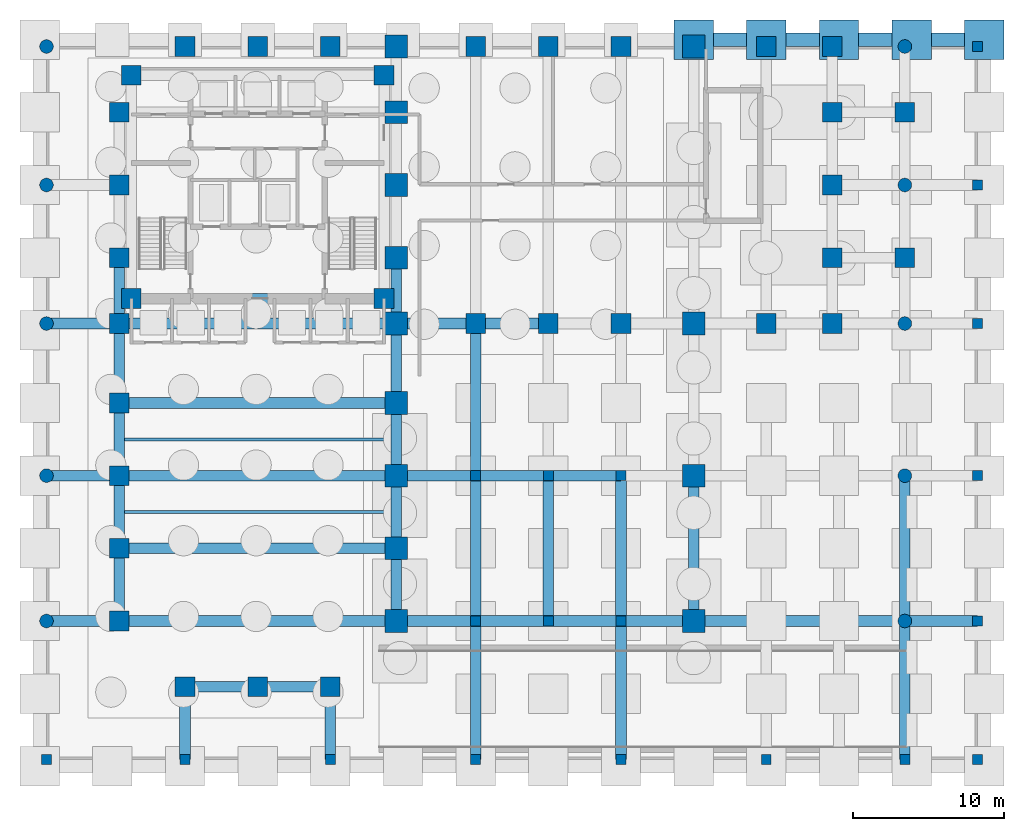
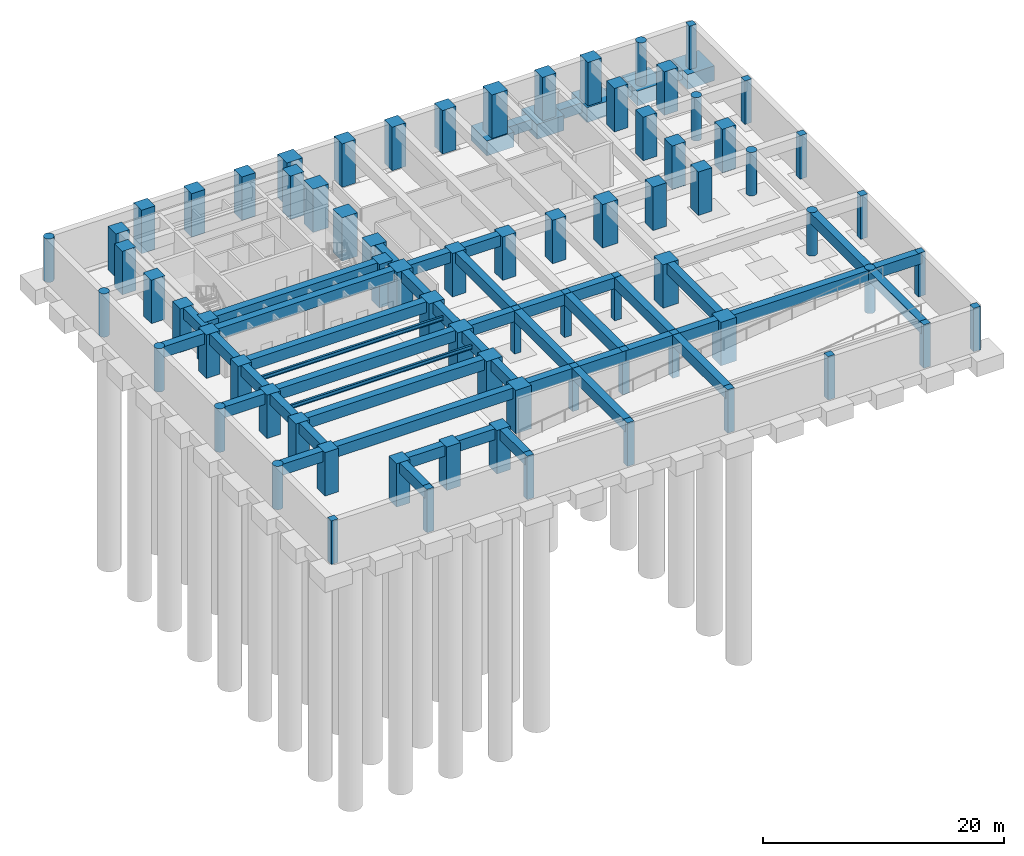
# One storey, part 2 of 8: 75 columns, 45 beams, 9 footings.
"""IFC4 building model written with IfcOpenShell, lengths in metres."""

from ifc_helpers import new_model, si_unit, direction, frame, origin, origin_2d, place, context, subcontext, project, spatial, rectangle, circle, i_section, extrude, material, material_profile, profile_set, type_object, element, save


model = new_model("IFC4")

# Units and contexts
model_context = context("Model", 3, precision=1e-05, world=origin(), true_north=direction((0.0, 1.0)))
body_context = subcontext(model_context, "Body", "Model", "MODEL_VIEW")
ifc_project = project(units=[si_unit("LENGTHUNIT", "METRE"), si_unit("AREAUNIT", "SQUARE_METRE"), si_unit("VOLUMEUNIT", "CUBIC_METRE"), si_unit("PLANEANGLEUNIT", "RADIAN"), si_unit("MASSUNIT", "GRAM", prefix="KILO")], contexts=[model_context])

# Site, building, storey
site_placement = place(None, origin())
site = spatial("IfcSite", under=ifc_project, at=site_placement, CompositionType="ELEMENT")
building_placement = place(site_placement, origin())
building = spatial("IfcBuilding", under=site, at=building_placement, Name="Orvandelia Arch Residences", CompositionType="ELEMENT")
storey_placement = place(building_placement, frame((0.0, 0.0, -13.199951171875)))
storey = spatial("IfcBuildingStorey", under=building, at=storey_placement, Name="B3", CompositionType="ELEMENT", Elevation=-13.199951171875)

# Footings
ifc_material_1 = material(Name="Concrete C50/60", Category="concrete")
footing_type_1 = type_object("IfcFootingType", Name="FTG-PAD-2600", PredefinedType="PAD_FOOTING", material=ifc_material_1)
for number, where, z_axis, x_axis, name in (
    (1, (43.199951171875, 48.0, -1.5), (0.0, 0.0, 1.0), (1.0, 0.0, 0.0), "Isolated Pad Footing PF-044"),
    (2, (48.0, 48.0, -1.5), (0.0, 0.0, 1.0), (1.0, 0.0, 0.0), "Isolated Pad Footing PF-053"),
    (3, (52.800048828125, 48.0, -1.5), (0.0, 0.0, 1.0), (1.0, 0.0, 0.0), "Isolated Pad Footing PF-062"),
    (4, (57.60009765625, 48.0, -1.5), (0.0, 0.0, 1.0), (1.0, 0.0, 0.0), "Isolated Pad Footing PF-073"),
    (5, (62.39990234375, 48.0, -1.5), (0.0, 0.0, 1.0), (1.0, 0.0, 0.0), "Isolated Pad Footing PF-084"),
):
    element("IfcFooting", number, at=place(storey_placement, frame(where, z_axis=z_axis, x_axis=x_axis)), inside=storey, type_object=footing_type_1, Name=name, PredefinedType="PAD_FOOTING", context=body_context, shape_type="SweptSolid", body=[
        extrude(rectangle(XDim=2.60009765625, YDim=2.60009765625, at=origin_2d()), origin(), (0.0, 0.0, 1.0), 1.5),
    ])
footing_type_2 = type_object("IfcFootingType", Name="FTG-STRIP-2200x900", PredefinedType="STRIP_FOOTING", material=ifc_material_1)
for number, where, z_axis, x_axis, name in (
    (6, (45.60009765625, 48.0, -1.0), (0.0, 0.0, 1.0), (1.0, 0.0, 0.0), "Perimeter Strip Footing STF-023"),
    (7, (50.39990234375, 48.0, -1.0), (0.0, 0.0, 1.0), (1.0, 0.0, 0.0), "Perimeter Strip Footing STF-024"),
    (8, (55.199951171875, 48.0, -1.0), (0.0, 0.0, 1.0), (1.0, 0.0, 0.0), "Perimeter Strip Footing STF-025"),
    (9, (60.0, 48.0, -1.0), (0.0, 0.0, 1.0), (1.0, 0.0, 0.0), "Perimeter Strip Footing STF-026"),
):
    element("IfcFooting", number, at=place(storey_placement, frame(where, z_axis=z_axis, x_axis=x_axis)), inside=storey, type_object=footing_type_2, Name=name, PredefinedType="STRIP_FOOTING", context=body_context, shape_type="SweptSolid", body=[
        extrude(rectangle(XDim=2.199951171875, YDim=0.89990234375, at=origin_2d()), origin(), (0.0, 0.0, 1.0), 1.0),
    ])

# Columns
ifc_material_profile_1 = material_profile(ifc_material_1, rectangle(XDim=0.64990234375, YDim=0.64990234375, at=origin_2d()), Name="Concrete C50/60", Category="concrete")
ifc_profile_set_1 = profile_set([ifc_material_profile_1], Name="Concrete C50/60")
column_type_1 = type_object("IfcColumnType", Name="COL-BSM-650", PredefinedType="PILASTER", material=ifc_profile_set_1)
for number, where, z_axis, x_axis, name in (
    (10, (0.449951171875, 0.449951171875, 0.0), (0.0, 0.0, 1.0), (1.0, 0.0, 0.0), "Structural Column B3-BSM-S0-4"),
    (11, (9.60009765625, 0.449951171875, 0.0), (0.0, 0.0, 1.0), (1.0, 0.0, 0.0), "Structural Column B3-BSM-S0-96"),
    (12, (19.199951171875, 0.449951171875, 0.0), (0.0, 0.0, 1.0), (1.0, 0.0, 0.0), "Structural Column B3-BSM-S0-192"),
    (13, (28.800048828125, 0.449951171875, 0.0), (0.0, 0.0, 1.0), (1.0, 0.0, 0.0), "Structural Column B3-BSM-S0-288"),
    (14, (28.800048828125, 9.60009765625, 0.0), (0.0, 0.0, 1.0), (1.0, 0.0, 0.0), "Structural Column B3-XFR-S-288-96"),
    (15, (28.800048828125, 19.199951171875, 0.0), (0.0, 0.0, 1.0), (1.0, 0.0, 0.0), "Structural Column B3-XFR-S-288-192"),
    (16, (33.60009765625, 9.60009765625, 0.0), (0.0, 0.0, 1.0), (1.0, 0.0, 0.0), "Structural Column B3-XFR-S-336-96"),
    (17, (33.60009765625, 19.199951171875, 0.0), (0.0, 0.0, 1.0), (1.0, 0.0, 0.0), "Structural Column B3-XFR-S-336-192"),
    (18, (38.39990234375, 0.449951171875, 0.0), (0.0, 0.0, 1.0), (1.0, 0.0, 0.0), "Structural Column B3-BSM-S0-384"),
    (19, (38.39990234375, 9.60009765625, 0.0), (0.0, 0.0, 1.0), (1.0, 0.0, 0.0), "Structural Column B3-XFR-S-384-96"),
    (20, (38.39990234375, 19.199951171875, 0.0), (0.0, 0.0, 1.0), (1.0, 0.0, 0.0), "Structural Column B3-XFR-S-384-192"),
    (21, (48.0, 0.449951171875, 0.0), (0.0, 0.0, 1.0), (1.0, 0.0, 0.0), "Structural Column B3-BSM-S0-480"),
    (22, (57.14990234375, 0.449951171875, 0.0), (0.0, 0.0, 1.0), (1.0, 0.0, 0.0), "Structural Column B3-BSM-S0-571"),
    (23, (61.949951171875, 0.449951171875, 0.0), (0.0, 0.0, 1.0), (1.0, 0.0, 0.0), "Structural Column B3-BSM-S0-619"),
    (24, (61.949951171875, 9.60009765625, 0.0), (0.0, 0.0, 1.0), (1.0, 0.0, 0.0), "Structural Column B3-BSM-E62-96"),
    (25, (61.949951171875, 19.199951171875, 0.0), (0.0, 0.0, 1.0), (1.0, 0.0, 0.0), "Structural Column B3-BSM-E62-192"),
    (26, (61.949951171875, 29.25, 0.0), (0.0, 0.0, 1.0), (1.0, 0.0, 0.0), "Structural Column B3-BSM-E62-292"),
    (27, (61.949951171875, 38.39990234375, 0.0), (0.0, 0.0, 1.0), (1.0, 0.0, 0.0), "Structural Column B3-BSM-E62-384"),
    (28, (61.949951171875, 47.550048828125, 0.0), (0.0, 0.0, 1.0), (1.0, 0.0, 0.0), "Structural Column B3-BSM-E62-475"),
):
    element("IfcColumn", number, at=place(storey_placement, frame(where, z_axis=z_axis, x_axis=x_axis)), inside=storey, type_object=column_type_1, Name=name, PredefinedType="PILASTER", context=body_context, shape_type="SweptSolid", body=[
        extrude(rectangle(XDim=0.64990234375, YDim=0.64990234375, at=origin_2d()), origin(), (0.0, 0.0, 1.0), 4.39990234375),
    ])
ifc_material_2 = material(Name="Concrete C80/95", Category="concrete")
ifc_material_profile_2 = material_profile(ifc_material_2, rectangle(XDim=1.5, YDim=1.5, at=origin_2d()), Name="Concrete C80/95", Category="concrete")
ifc_profile_set_2 = profile_set([ifc_material_profile_2], Name="Concrete C80/95")
column_type_2 = type_object("IfcColumnType", Name="COL-MEGA-1500", PredefinedType="USERDEFINED", material=ifc_profile_set_2)
for number, where, z_axis, x_axis, name in (
    (29, (23.550048828125, 9.60009765625, 0.0), (0.0, 0.0, 1.0), (1.0, 0.0, 0.0), "Structural Column B3-W-E-96"),
    (30, (23.550048828125, 14.39990234375, 0.0), (0.0, 0.0, 1.0), (1.0, 0.0, 0.0), "Structural Column B3-W-E-144"),
    (31, (23.550048828125, 19.199951171875, 0.0), (0.0, 0.0, 1.0), (1.0, 0.0, 0.0), "Structural Column B3-W-E-192"),
    (32, (23.550048828125, 24.0, 0.0), (0.0, 0.0, 1.0), (1.0, 0.0, 0.0), "Structural Column B3-W-E-240"),
    (33, (23.550048828125, 29.25, 0.0), (0.0, 0.0, 1.0), (1.0, 0.0, 0.0), "Structural Column B3-W-E-292"),
    (34, (23.550048828125, 33.60009765625, 0.0), (0.0, 0.0, 1.0), (1.0, 0.0, 0.0), "Structural Column B3-W-E-336"),
    (35, (23.550048828125, 38.39990234375, 0.0), (0.0, 0.0, 1.0), (1.0, 0.0, 0.0), "Structural Column B3-W-E-384"),
    (36, (23.550048828125, 43.199951171875, 0.0), (0.0, 0.0, 1.0), (1.0, 0.0, 0.0), "Structural Column B3-W-E-432"),
    (37, (23.550048828125, 47.550048828125, 0.0), (0.0, 0.0, 1.0), (1.0, 0.0, 0.0), "Structural Column B3-W-N-235"),
    (38, (43.199951171875, 9.60009765625, 0.0), (0.0, 0.0, 1.0), (1.0, 0.0, 0.0), "Structural Column B3-MPE-96"),
    (39, (43.199951171875, 19.199951171875, 0.0), (0.0, 0.0, 1.0), (1.0, 0.0, 0.0), "Structural Column B3-MPE-192"),
    (40, (43.199951171875, 29.25, 0.0), (0.0, 0.0, 1.0), (1.0, 0.0, 0.0), "Structural Column B3-E-S-432"),
    (41, (43.199951171875, 47.550048828125, 0.0), (0.0, 0.0, 1.0), (1.0, 0.0, 0.0), "Structural Column B3-E-N-432"),
):
    element("IfcColumn", number, at=place(storey_placement, frame(where, z_axis=z_axis, x_axis=x_axis)), inside=storey, type_object=column_type_2, Name=name, ObjectType="PIER COLUMN", PredefinedType="USERDEFINED", context=body_context, shape_type="SweptSolid", body=[
        extrude(rectangle(XDim=1.5, YDim=1.5, at=origin_2d()), origin(), (0.0, 0.0, 1.0), 4.39990234375),
    ])
ifc_material_3 = material(Name="Concrete C60/75", Category="concrete")
ifc_material_profile_3 = material_profile(ifc_material_3, circle(Radius=0.449951171875, at=origin_2d()), Name="Concrete C60/75", Category="concrete")
ifc_profile_set_3 = profile_set([ifc_material_profile_3], Name="Concrete C60/75")
column_type_3 = type_object("IfcColumnType", Name="COL-POD-900C", PredefinedType="COLUMN", material=ifc_profile_set_3)
for number, where, z_axis, x_axis, name in (
    (42, (0.449951171875, 9.60009765625, 0.0), (0.0, 0.0, 1.0), (1.0, 0.0, 0.0), "Structural Column B3-POD-W0-96"),
    (43, (0.449951171875, 19.199951171875, 0.0), (0.0, 0.0, 1.0), (1.0, 0.0, 0.0), "Structural Column B3-POD-W0-192"),
    (44, (0.449951171875, 29.25, 0.0), (0.0, 0.0, 1.0), (1.0, 0.0, 0.0), "Structural Column B3-POD-W0-292"),
    (45, (0.449951171875, 38.39990234375, 0.0), (0.0, 0.0, 1.0), (1.0, 0.0, 0.0), "Structural Column B3-POD-W0-384"),
    (46, (0.449951171875, 47.550048828125, 0.0), (0.0, 0.0, 1.0), (1.0, 0.0, 0.0), "Structural Column B3-POD-W0-475"),
    (47, (57.14990234375, 9.60009765625, 0.0), (0.0, 0.0, 1.0), (1.0, 0.0, 0.0), "Structural Column B3-POD-E0-96"),
    (48, (57.14990234375, 19.199951171875, 0.0), (0.0, 0.0, 1.0), (1.0, 0.0, 0.0), "Structural Column B3-POD-E0-192"),
    (49, (57.14990234375, 29.25, 0.0), (0.0, 0.0, 1.0), (1.0, 0.0, 0.0), "Structural Column B3-POD-E0-292"),
    (50, (57.14990234375, 38.39990234375, 0.0), (0.0, 0.0, 1.0), (1.0, 0.0, 0.0), "Structural Column B3-POD-E0-384"),
    (51, (57.14990234375, 47.550048828125, 0.0), (0.0, 0.0, 1.0), (1.0, 0.0, 0.0), "Structural Column B3-POD-E0-475"),
):
    element("IfcColumn", number, at=place(storey_placement, frame(where, z_axis=z_axis, x_axis=x_axis)), inside=storey, type_object=column_type_3, Name=name, PredefinedType="COLUMN", context=body_context, shape_type="SweptSolid", body=[
        extrude(circle(Radius=0.449951171875, at=origin_2d()), origin(), (0.0, 0.0, 1.0), 4.39990234375),
    ])
ifc_material_profile_4 = material_profile(ifc_material_2, rectangle(XDim=1.300048828125, YDim=1.300048828125, at=origin_2d()), Name="Concrete C80/95", Category="concrete")
ifc_profile_set_4 = profile_set([ifc_material_profile_4], Name="Concrete C80/95")
column_type_4 = type_object("IfcColumnType", Name="COL-TWR-1300", PredefinedType="COLUMN", material=ifc_profile_set_4)
for number, where, z_axis, x_axis, name in (
    (52, (5.25, 9.60009765625, 0.0), (0.0, 0.0, 1.0), (1.0, 0.0, 0.0), "Structural Column B3-W-W-96"),
    (53, (5.25, 14.39990234375, 0.0), (0.0, 0.0, 1.0), (1.0, 0.0, 0.0), "Structural Column B3-W-W-144"),
    (54, (5.25, 19.199951171875, 0.0), (0.0, 0.0, 1.0), (1.0, 0.0, 0.0), "Structural Column B3-W-W-192"),
    (55, (5.25, 24.0, 0.0), (0.0, 0.0, 1.0), (1.0, 0.0, 0.0), "Structural Column B3-W-W-240"),
    (56, (5.25, 29.25, 0.0), (0.0, 0.0, 1.0), (1.0, 0.0, 0.0), "Structural Column B3-W-W-292"),
    (57, (5.25, 33.60009765625, 0.0), (0.0, 0.0, 1.0), (1.0, 0.0, 0.0), "Structural Column B3-W-W-336"),
    (58, (5.25, 38.39990234375, 0.0), (0.0, 0.0, 1.0), (1.0, 0.0, 0.0), "Structural Column B3-W-W-384"),
    (59, (5.25, 43.199951171875, 0.0), (0.0, 0.0, 1.0), (1.0, 0.0, 0.0), "Structural Column B3-W-W-432"),
    (60, (6.050048828125, 30.89990234375, 0.0), (0.0, 0.0, 1.0), (1.0, 0.0, 0.0), "Structural Column B3-CR-SW"),
    (61, (6.050048828125, 45.64990234375, 0.0), (0.0, 0.0, 1.0), (1.0, 0.0, 0.0), "Structural Column B3-CR-NW"),
    (62, (9.60009765625, 5.25, 0.0), (0.0, 0.0, 1.0), (1.0, 0.0, 0.0), "Structural Column B3-W-S-96"),
    (63, (9.60009765625, 47.550048828125, 0.0), (0.0, 0.0, 1.0), (1.0, 0.0, 0.0), "Structural Column B3-W-N-96"),
    (64, (14.39990234375, 5.25, 0.0), (0.0, 0.0, 1.0), (1.0, 0.0, 0.0), "Structural Column B3-W-S-144"),
    (65, (14.39990234375, 47.550048828125, 0.0), (0.0, 0.0, 1.0), (1.0, 0.0, 0.0), "Structural Column B3-W-N-144"),
    (66, (19.199951171875, 5.25, 0.0), (0.0, 0.0, 1.0), (1.0, 0.0, 0.0), "Structural Column B3-W-S-192"),
    (67, (19.199951171875, 47.550048828125, 0.0), (0.0, 0.0, 1.0), (1.0, 0.0, 0.0), "Structural Column B3-W-N-192"),
    (68, (22.75, 30.89990234375, 0.0), (0.0, 0.0, 1.0), (1.0, 0.0, 0.0), "Structural Column B3-CR-SE"),
    (69, (22.75, 45.64990234375, 0.0), (0.0, 0.0, 1.0), (1.0, 0.0, 0.0), "Structural Column B3-CR-NE"),
    (70, (28.800048828125, 29.25, 0.0), (0.0, 0.0, 1.0), (1.0, 0.0, 0.0), "Structural Column B3-E-S-288"),
    (71, (28.800048828125, 47.550048828125, 0.0), (0.0, 0.0, 1.0), (1.0, 0.0, 0.0), "Structural Column B3-E-N-288"),
    (72, (33.60009765625, 29.25, 0.0), (0.0, 0.0, 1.0), (1.0, 0.0, 0.0), "Structural Column B3-E-S-336"),
    (73, (33.60009765625, 47.550048828125, 0.0), (0.0, 0.0, 1.0), (1.0, 0.0, 0.0), "Structural Column B3-E-N-336"),
    (74, (38.39990234375, 29.25, 0.0), (0.0, 0.0, 1.0), (1.0, 0.0, 0.0), "Structural Column B3-E-S-384"),
    (75, (38.39990234375, 47.550048828125, 0.0), (0.0, 0.0, 1.0), (1.0, 0.0, 0.0), "Structural Column B3-E-N-384"),
    (76, (48.0, 29.25, 0.0), (0.0, 0.0, 1.0), (1.0, 0.0, 0.0), "Structural Column B3-E-S-480"),
    (77, (48.0, 47.550048828125, 0.0), (0.0, 0.0, 1.0), (1.0, 0.0, 0.0), "Structural Column B3-E-N-480"),
    (78, (52.35009765625, 29.25, 0.0), (0.0, 0.0, 1.0), (1.0, 0.0, 0.0), "Structural Column B3-E-S-523"),
    (79, (52.35009765625, 33.60009765625, 0.0), (0.0, 0.0, 1.0), (1.0, 0.0, 0.0), "Structural Column B3-E-523-336"),
    (80, (52.35009765625, 38.39990234375, 0.0), (0.0, 0.0, 1.0), (1.0, 0.0, 0.0), "Structural Column B3-E-523-384"),
    (81, (52.35009765625, 43.199951171875, 0.0), (0.0, 0.0, 1.0), (1.0, 0.0, 0.0), "Structural Column B3-E-523-432"),
    (82, (52.35009765625, 47.550048828125, 0.0), (0.0, 0.0, 1.0), (1.0, 0.0, 0.0), "Structural Column B3-E-N-523"),
    (83, (57.14990234375, 33.60009765625, 0.0), (0.0, 0.0, 1.0), (1.0, 0.0, 0.0), "Structural Column B3-E-571-336"),
    (84, (57.14990234375, 43.199951171875, 0.0), (0.0, 0.0, 1.0), (1.0, 0.0, 0.0), "Structural Column B3-E-571-432"),
):
    element("IfcColumn", number, at=place(storey_placement, frame(where, z_axis=z_axis, x_axis=x_axis)), inside=storey, type_object=column_type_4, Name=name, PredefinedType="COLUMN", context=body_context, shape_type="SweptSolid", body=[
        extrude(rectangle(XDim=1.300048828125, YDim=1.300048828125, at=origin_2d()), origin(), (0.0, 0.0, 1.0), 4.39990234375),
    ])

# Beams
ifc_material_4 = material(Name="Structural Steel SM355 (355 MPa)", Category="steel")
ifc_material_profile_5 = material_profile(ifc_material_4, i_section(OverallWidth=0.199951171875, OverallDepth=0.39990234375, WebThickness=0.008056640625, FlangeThickness=0.012939453125, FilletRadius=0.01611328125, at=origin_2d()), Name="Structural Steel SM355 (355 MPa)", Category="steel")
ifc_profile_set_5 = profile_set([ifc_material_profile_5], Name="Structural Steel SM355 (355 MPa)")
beam_type_1 = type_object("IfcBeamType", Name="BM-JST-H400", PredefinedType="JOIST", material=ifc_profile_set_5)
for number, where, z_axis, x_axis, name in (
    (85, (5.25, 16.800048828125, 3.8798828125), (1.0, 0.0, 0.0), (0.0, 1.0, 0.0), "Composite Floor Joist B3-J1"),
    (86, (5.25, 21.60009765625, 3.8798828125), (1.0, 0.0, 0.0), (0.0, 1.0, 0.0), "Composite Floor Joist B3-J2"),
):
    element("IfcBeam", number, at=place(storey_placement, frame(where, z_axis=z_axis, x_axis=x_axis)), inside=storey, type_object=beam_type_1, Name=name, PredefinedType="JOIST", context=body_context, shape_type="SweptSolid", body=[
        extrude(i_section(OverallWidth=0.199951171875, OverallDepth=0.39990234375, WebThickness=0.008056640625, FlangeThickness=0.012939453125, FilletRadius=0.01611328125, at=origin_2d()), origin(), (0.0, 0.0, 1.0), 18.300048828125),
    ])
ifc_material_profile_6 = material_profile(ifc_material_3, rectangle(XDim=0.699951171875, YDim=1.10009765625, at=origin_2d()), Name="Concrete C60/75", Category="concrete")
ifc_profile_set_6 = profile_set([ifc_material_profile_6], Name="Concrete C60/75")
beam_type_2 = type_object("IfcBeamType", Name="BM-RC-700x1100", PredefinedType="BEAM", material=ifc_profile_set_6)
beam_1_placement = place(storey_placement, frame((5.25, 9.60009765625, 3.849853515625), z_axis=(0.0, 1.0, 0.0), x_axis=(-1.0, 0.0, 0.0)))
element("IfcBeam", 87, at=beam_1_placement, inside=storey, type_object=beam_type_2, Name="Structural Frame Beam B3-NS-001", PredefinedType="BEAM", context=body_context, shape_type="SweptSolid", body=[
    extrude(rectangle(XDim=0.699951171875, YDim=1.10009765625, at=origin_2d()), origin(), (0.0, 0.0, 1.0), 4.7998046875),
])
for number, where, z_axis, x_axis, name in (
    (88, (5.25, 14.39990234375, 3.849853515625), (0.0, 1.0, 0.0), (-1.0, 0.0, 0.0), "Structural Frame Beam B3-NS-002"),
    (89, (5.25, 19.199951171875, 3.849853515625), (0.0, 1.0, 0.0), (-1.0, 0.0, 0.0), "Structural Frame Beam B3-NS-003"),
):
    element("IfcBeam", number, at=place(storey_placement, frame(where, z_axis=z_axis, x_axis=x_axis)), inside=storey, type_object=beam_type_2, Name=name, PredefinedType="BEAM", context=body_context, shape_type="SweptSolid", body=[
        extrude(rectangle(XDim=0.699951171875, YDim=1.10009765625, at=origin_2d()), origin(), (0.0, 0.0, 1.0), 4.800048828125),
    ])
beam_2_placement = place(storey_placement, frame((5.25, 24.0, 3.849853515625), z_axis=(0.0, 1.0, 0.0), x_axis=(-1.0, 0.0, 0.0)))
element("IfcBeam", 90, at=beam_2_placement, inside=storey, type_object=beam_type_2, Name="Structural Frame Beam B3-NS-004", PredefinedType="BEAM", context=body_context, shape_type="SweptSolid", body=[
    extrude(rectangle(XDim=0.699951171875, YDim=1.10009765625, at=origin_2d()), origin(), (0.0, 0.0, 1.0), 5.25),
])
beam_3_placement = place(storey_placement, frame((5.25, 29.25, 3.849853515625), z_axis=(0.0, 1.0, 0.0), x_axis=(-1.0, 0.0, 0.0)))
element("IfcBeam", 91, at=beam_3_placement, inside=storey, type_object=beam_type_2, Name="Structural Frame Beam B3-NS-005", PredefinedType="BEAM", context=body_context, shape_type="SweptSolid", body=[
    extrude(rectangle(XDim=0.699951171875, YDim=1.10009765625, at=origin_2d()), origin(), (0.0, 0.0, 1.0), 4.35009765625),
])
for number, where, z_axis, x_axis, name in (
    (92, (9.60009765625, 0.449951171875, 3.849853515625), (0.0, 1.0, 0.0), (-1.0, 0.0, 0.0), "Structural Frame Beam B3-NS-009"),
    (93, (19.199951171875, 0.449951171875, 3.849853515625), (0.0, 1.0, 0.0), (-1.0, 0.0, 0.0), "Structural Frame Beam B3-NS-010"),
):
    element("IfcBeam", number, at=place(storey_placement, frame(where, z_axis=z_axis, x_axis=x_axis)), inside=storey, type_object=beam_type_2, Name=name, PredefinedType="BEAM", context=body_context, shape_type="SweptSolid", body=[
        extrude(rectangle(XDim=0.699951171875, YDim=1.10009765625, at=origin_2d()), origin(), (0.0, 0.0, 1.0), 4.800048828125),
    ])
beam_4_placement = place(storey_placement, frame((23.550048828125, 9.60009765625, 3.849853515625), z_axis=(0.0, 1.0, 0.0), x_axis=(-1.0, 0.0, 0.0)))
element("IfcBeam", 94, at=beam_4_placement, inside=storey, type_object=beam_type_2, Name="Structural Frame Beam B3-NS-012", PredefinedType="BEAM", context=body_context, shape_type="SweptSolid", body=[
    extrude(rectangle(XDim=0.699951171875, YDim=1.10009765625, at=origin_2d()), origin(), (0.0, 0.0, 1.0), 4.7998046875),
])
for number, where, z_axis, x_axis, name in (
    (95, (23.550048828125, 14.39990234375, 3.849853515625), (0.0, 1.0, 0.0), (-1.0, 0.0, 0.0), "Structural Frame Beam B3-NS-013"),
    (96, (23.550048828125, 19.199951171875, 3.849853515625), (0.0, 1.0, 0.0), (-1.0, 0.0, 0.0), "Structural Frame Beam B3-NS-014"),
):
    element("IfcBeam", number, at=place(storey_placement, frame(where, z_axis=z_axis, x_axis=x_axis)), inside=storey, type_object=beam_type_2, Name=name, PredefinedType="BEAM", context=body_context, shape_type="SweptSolid", body=[
        extrude(rectangle(XDim=0.699951171875, YDim=1.10009765625, at=origin_2d()), origin(), (0.0, 0.0, 1.0), 4.800048828125),
    ])
beam_5_placement = place(storey_placement, frame((23.550048828125, 24.0, 3.849853515625), z_axis=(0.0, 1.0, 0.0), x_axis=(-1.0, 0.0, 0.0)))
element("IfcBeam", 97, at=beam_5_placement, inside=storey, type_object=beam_type_2, Name="Structural Frame Beam B3-NS-015", PredefinedType="BEAM", context=body_context, shape_type="SweptSolid", body=[
    extrude(rectangle(XDim=0.699951171875, YDim=1.10009765625, at=origin_2d()), origin(), (0.0, 0.0, 1.0), 5.25),
])
beam_6_placement = place(storey_placement, frame((23.550048828125, 29.25, 3.849853515625), z_axis=(0.0, 1.0, 0.0), x_axis=(-1.0, 0.0, 0.0)))
element("IfcBeam", 98, at=beam_6_placement, inside=storey, type_object=beam_type_2, Name="Structural Frame Beam B3-NS-016", PredefinedType="BEAM", context=body_context, shape_type="SweptSolid", body=[
    extrude(rectangle(XDim=0.699951171875, YDim=1.10009765625, at=origin_2d()), origin(), (0.0, 0.0, 1.0), 4.35009765625),
])
beam_7_placement = place(storey_placement, frame((28.800048828125, 0.449951171875, 3.849853515625), z_axis=(0.0, 1.0, 0.0), x_axis=(-1.0, 0.0, 0.0)))
element("IfcBeam", 99, at=beam_7_placement, inside=storey, type_object=beam_type_2, Name="Structural Frame Beam B3-NS-020", PredefinedType="BEAM", context=body_context, shape_type="SweptSolid", body=[
    extrude(rectangle(XDim=0.699951171875, YDim=1.10009765625, at=origin_2d()), origin(), (0.0, 0.0, 1.0), 9.150146484375),
])
beam_8_placement = place(storey_placement, frame((28.800048828125, 9.60009765625, 3.849853515625), z_axis=(0.0, 1.0, 0.0), x_axis=(-1.0, 0.0, 0.0)))
element("IfcBeam", 100, at=beam_8_placement, inside=storey, type_object=beam_type_2, Name="Structural Frame Beam B3-NS-021", PredefinedType="BEAM", context=body_context, shape_type="SweptSolid", body=[
    extrude(rectangle(XDim=0.699951171875, YDim=1.10009765625, at=origin_2d()), origin(), (0.0, 0.0, 1.0), 9.599853515625),
])
beam_9_placement = place(storey_placement, frame((28.800048828125, 19.199951171875, 3.849853515625), z_axis=(0.0, 1.0, 0.0), x_axis=(-1.0, 0.0, 0.0)))
element("IfcBeam", 101, at=beam_9_placement, inside=storey, type_object=beam_type_2, Name="Structural Frame Beam B3-NS-022", PredefinedType="BEAM", context=body_context, shape_type="SweptSolid", body=[
    extrude(rectangle(XDim=0.699951171875, YDim=1.10009765625, at=origin_2d()), origin(), (0.0, 0.0, 1.0), 10.050048828125),
])
beam_10_placement = place(storey_placement, frame((33.60009765625, 9.60009765625, 3.849853515625), z_axis=(0.0, 1.0, 0.0), x_axis=(-1.0, 0.0, 0.0)))
element("IfcBeam", 102, at=beam_10_placement, inside=storey, type_object=beam_type_2, Name="Structural Frame Beam B3-NS-024", PredefinedType="BEAM", context=body_context, shape_type="SweptSolid", body=[
    extrude(rectangle(XDim=0.699951171875, YDim=1.10009765625, at=origin_2d()), origin(), (0.0, 0.0, 1.0), 9.599853515625),
])
beam_11_placement = place(storey_placement, frame((38.39990234375, 0.449951171875, 3.849853515625), z_axis=(0.0, 1.0, 0.0), x_axis=(-1.0, 0.0, 0.0)))
element("IfcBeam", 103, at=beam_11_placement, inside=storey, type_object=beam_type_2, Name="Structural Frame Beam B3-NS-027", PredefinedType="BEAM", context=body_context, shape_type="SweptSolid", body=[
    extrude(rectangle(XDim=0.699951171875, YDim=1.10009765625, at=origin_2d()), origin(), (0.0, 0.0, 1.0), 9.150146484375),
])
for number, where, z_axis, x_axis, name in (
    (104, (38.39990234375, 9.60009765625, 3.849853515625), (0.0, 1.0, 0.0), (-1.0, 0.0, 0.0), "Structural Frame Beam B3-NS-028"),
    (105, (43.199951171875, 9.60009765625, 3.849853515625), (0.0, 1.0, 0.0), (-1.0, 0.0, 0.0), "Structural Frame Beam B3-NS-031"),
):
    element("IfcBeam", number, at=place(storey_placement, frame(where, z_axis=z_axis, x_axis=x_axis)), inside=storey, type_object=beam_type_2, Name=name, PredefinedType="BEAM", context=body_context, shape_type="SweptSolid", body=[
        extrude(rectangle(XDim=0.699951171875, YDim=1.10009765625, at=origin_2d()), origin(), (0.0, 0.0, 1.0), 9.599853515625),
    ])
beam_12_placement = place(storey_placement, frame((57.14990234375, 0.449951171875, 3.849853515625), z_axis=(0.0, 1.0, 0.0), x_axis=(-1.0, 0.0, 0.0)))
element("IfcBeam", 106, at=beam_12_placement, inside=storey, type_object=beam_type_2, Name="Structural Frame Beam B3-NS-039", PredefinedType="BEAM", context=body_context, shape_type="SweptSolid", body=[
    extrude(rectangle(XDim=0.699951171875, YDim=1.10009765625, at=origin_2d()), origin(), (0.0, 0.0, 1.0), 9.150146484375),
])
beam_13_placement = place(storey_placement, frame((57.14990234375, 9.60009765625, 3.849853515625), z_axis=(0.0, 1.0, 0.0), x_axis=(-1.0, 0.0, 0.0)))
element("IfcBeam", 107, at=beam_13_placement, inside=storey, type_object=beam_type_2, Name="Structural Frame Beam B3-NS-040", PredefinedType="BEAM", context=body_context, shape_type="SweptSolid", body=[
    extrude(rectangle(XDim=0.699951171875, YDim=1.10009765625, at=origin_2d()), origin(), (0.0, 0.0, 1.0), 9.599853515625),
])
beam_14_placement = place(storey_placement, frame((9.60009765625, 5.25, 3.849853515625), z_axis=(1.0, 0.0, 0.0), x_axis=(0.0, 1.0, 0.0)))
element("IfcBeam", 108, at=beam_14_placement, inside=storey, type_object=beam_type_2, Name="Structural Frame Girder B3-EW-046", PredefinedType="BEAM", context=body_context, shape_type="SweptSolid", body=[
    extrude(rectangle(XDim=0.699951171875, YDim=1.10009765625, at=origin_2d()), origin(), (0.0, 0.0, 1.0), 4.7998046875),
])
for number, where, z_axis, x_axis, name in (
    (109, (14.39990234375, 5.25, 3.849853515625), (1.0, 0.0, 0.0), (0.0, 1.0, 0.0), "Structural Frame Girder B3-EW-047"),
    (110, (0.449951171875, 9.60009765625, 3.849853515625), (1.0, 0.0, 0.0), (0.0, 1.0, 0.0), "Structural Frame Girder B3-EW-048"),
):
    element("IfcBeam", number, at=place(storey_placement, frame(where, z_axis=z_axis, x_axis=x_axis)), inside=storey, type_object=beam_type_2, Name=name, PredefinedType="BEAM", context=body_context, shape_type="SweptSolid", body=[
        extrude(rectangle(XDim=0.699951171875, YDim=1.10009765625, at=origin_2d()), origin(), (0.0, 0.0, 1.0), 4.800048828125),
    ])
beam_15_placement = place(storey_placement, frame((5.25, 9.60009765625, 3.849853515625), z_axis=(1.0, 0.0, 0.0), x_axis=(0.0, 1.0, 0.0)))
element("IfcBeam", 111, at=beam_15_placement, inside=storey, type_object=beam_type_2, Name="Structural Frame Girder B3-EW-049", PredefinedType="BEAM", context=body_context, shape_type="SweptSolid", body=[
    extrude(rectangle(XDim=0.699951171875, YDim=1.10009765625, at=origin_2d()), origin(), (0.0, 0.0, 1.0), 18.300048828125),
])
beam_16_placement = place(storey_placement, frame((23.550048828125, 9.60009765625, 3.849853515625), z_axis=(1.0, 0.0, 0.0), x_axis=(0.0, 1.0, 0.0)))
element("IfcBeam", 112, at=beam_16_placement, inside=storey, type_object=beam_type_2, Name="Structural Frame Girder B3-EW-050", PredefinedType="BEAM", context=body_context, shape_type="SweptSolid", body=[
    extrude(rectangle(XDim=0.699951171875, YDim=1.10009765625, at=origin_2d()), origin(), (0.0, 0.0, 1.0), 5.25),
])
beam_17_placement = place(storey_placement, frame((28.800048828125, 9.60009765625, 3.849853515625), z_axis=(1.0, 0.0, 0.0), x_axis=(0.0, 1.0, 0.0)))
element("IfcBeam", 113, at=beam_17_placement, inside=storey, type_object=beam_type_2, Name="Structural Frame Girder B3-EW-051", PredefinedType="BEAM", context=body_context, shape_type="SweptSolid", body=[
    extrude(rectangle(XDim=0.699951171875, YDim=1.10009765625, at=origin_2d()), origin(), (0.0, 0.0, 1.0), 4.800048828125),
])
beam_18_placement = place(storey_placement, frame((33.60009765625, 9.60009765625, 3.849853515625), z_axis=(1.0, 0.0, 0.0), x_axis=(0.0, 1.0, 0.0)))
element("IfcBeam", 114, at=beam_18_placement, inside=storey, type_object=beam_type_2, Name="Structural Frame Girder B3-EW-052", PredefinedType="BEAM", context=body_context, shape_type="SweptSolid", body=[
    extrude(rectangle(XDim=0.699951171875, YDim=1.10009765625, at=origin_2d()), origin(), (0.0, 0.0, 1.0), 4.7998046875),
])
beam_19_placement = place(storey_placement, frame((38.39990234375, 9.60009765625, 3.849853515625), z_axis=(1.0, 0.0, 0.0), x_axis=(0.0, 1.0, 0.0)))
element("IfcBeam", 115, at=beam_19_placement, inside=storey, type_object=beam_type_2, Name="Structural Frame Girder B3-EW-053", PredefinedType="BEAM", context=body_context, shape_type="SweptSolid", body=[
    extrude(rectangle(XDim=0.699951171875, YDim=1.10009765625, at=origin_2d()), origin(), (0.0, 0.0, 1.0), 4.800048828125),
])
beam_20_placement = place(storey_placement, frame((43.199951171875, 9.60009765625, 3.849853515625), z_axis=(1.0, 0.0, 0.0), x_axis=(0.0, 1.0, 0.0)))
element("IfcBeam", 116, at=beam_20_placement, inside=storey, type_object=beam_type_2, Name="Structural Frame Girder B3-EW-054", PredefinedType="BEAM", context=body_context, shape_type="SweptSolid", body=[
    extrude(rectangle(XDim=0.699951171875, YDim=1.10009765625, at=origin_2d()), origin(), (0.0, 0.0, 1.0), 13.949951171875),
])
beam_21_placement = place(storey_placement, frame((57.14990234375, 9.60009765625, 3.849853515625), z_axis=(1.0, 0.0, 0.0), x_axis=(0.0, 1.0, 0.0)))
element("IfcBeam", 117, at=beam_21_placement, inside=storey, type_object=beam_type_2, Name="Structural Frame Girder B3-EW-055", PredefinedType="BEAM", context=body_context, shape_type="SweptSolid", body=[
    extrude(rectangle(XDim=0.699951171875, YDim=1.10009765625, at=origin_2d()), origin(), (0.0, 0.0, 1.0), 4.800048828125),
])
beam_22_placement = place(storey_placement, frame((5.25, 14.39990234375, 3.849853515625), z_axis=(1.0, 0.0, 0.0), x_axis=(0.0, 1.0, 0.0)))
element("IfcBeam", 118, at=beam_22_placement, inside=storey, type_object=beam_type_2, Name="Structural Frame Girder B3-EW-056", PredefinedType="BEAM", context=body_context, shape_type="SweptSolid", body=[
    extrude(rectangle(XDim=0.699951171875, YDim=1.10009765625, at=origin_2d()), origin(), (0.0, 0.0, 1.0), 18.300048828125),
])
beam_23_placement = place(storey_placement, frame((0.449951171875, 19.199951171875, 3.849853515625), z_axis=(1.0, 0.0, 0.0), x_axis=(0.0, 1.0, 0.0)))
element("IfcBeam", 119, at=beam_23_placement, inside=storey, type_object=beam_type_2, Name="Structural Frame Girder B3-EW-057", PredefinedType="BEAM", context=body_context, shape_type="SweptSolid", body=[
    extrude(rectangle(XDim=0.699951171875, YDim=1.10009765625, at=origin_2d()), origin(), (0.0, 0.0, 1.0), 4.800048828125),
])
beam_24_placement = place(storey_placement, frame((5.25, 19.199951171875, 3.849853515625), z_axis=(1.0, 0.0, 0.0), x_axis=(0.0, 1.0, 0.0)))
element("IfcBeam", 120, at=beam_24_placement, inside=storey, type_object=beam_type_2, Name="Structural Frame Girder B3-EW-058", PredefinedType="BEAM", context=body_context, shape_type="SweptSolid", body=[
    extrude(rectangle(XDim=0.699951171875, YDim=1.10009765625, at=origin_2d()), origin(), (0.0, 0.0, 1.0), 18.300048828125),
])
beam_25_placement = place(storey_placement, frame((23.550048828125, 19.199951171875, 3.849853515625), z_axis=(1.0, 0.0, 0.0), x_axis=(0.0, 1.0, 0.0)))
element("IfcBeam", 121, at=beam_25_placement, inside=storey, type_object=beam_type_2, Name="Structural Frame Girder B3-EW-059", PredefinedType="BEAM", context=body_context, shape_type="SweptSolid", body=[
    extrude(rectangle(XDim=0.699951171875, YDim=1.10009765625, at=origin_2d()), origin(), (0.0, 0.0, 1.0), 5.25),
])
beam_26_placement = place(storey_placement, frame((28.800048828125, 19.199951171875, 3.849853515625), z_axis=(1.0, 0.0, 0.0), x_axis=(0.0, 1.0, 0.0)))
element("IfcBeam", 122, at=beam_26_placement, inside=storey, type_object=beam_type_2, Name="Structural Frame Girder B3-EW-060", PredefinedType="BEAM", context=body_context, shape_type="SweptSolid", body=[
    extrude(rectangle(XDim=0.699951171875, YDim=1.10009765625, at=origin_2d()), origin(), (0.0, 0.0, 1.0), 4.800048828125),
])
beam_27_placement = place(storey_placement, frame((33.60009765625, 19.199951171875, 3.849853515625), z_axis=(1.0, 0.0, 0.0), x_axis=(0.0, 1.0, 0.0)))
element("IfcBeam", 123, at=beam_27_placement, inside=storey, type_object=beam_type_2, Name="Structural Frame Girder B3-EW-061", PredefinedType="BEAM", context=body_context, shape_type="SweptSolid", body=[
    extrude(rectangle(XDim=0.699951171875, YDim=1.10009765625, at=origin_2d()), origin(), (0.0, 0.0, 1.0), 4.7998046875),
])
beam_28_placement = place(storey_placement, frame((5.25, 24.0, 3.849853515625), z_axis=(1.0, 0.0, 0.0), x_axis=(0.0, 1.0, 0.0)))
element("IfcBeam", 124, at=beam_28_placement, inside=storey, type_object=beam_type_2, Name="Structural Frame Girder B3-EW-065", PredefinedType="BEAM", context=body_context, shape_type="SweptSolid", body=[
    extrude(rectangle(XDim=0.699951171875, YDim=1.10009765625, at=origin_2d()), origin(), (0.0, 0.0, 1.0), 18.300048828125),
])
beam_29_placement = place(storey_placement, frame((0.449951171875, 29.25, 3.849853515625), z_axis=(1.0, 0.0, 0.0), x_axis=(0.0, 1.0, 0.0)))
element("IfcBeam", 125, at=beam_29_placement, inside=storey, type_object=beam_type_2, Name="Structural Frame Girder B3-EW-066", PredefinedType="BEAM", context=body_context, shape_type="SweptSolid", body=[
    extrude(rectangle(XDim=0.699951171875, YDim=1.10009765625, at=origin_2d()), origin(), (0.0, 0.0, 1.0), 4.800048828125),
])
beam_30_placement = place(storey_placement, frame((5.25, 29.25, 3.849853515625), z_axis=(1.0, 0.0, 0.0), x_axis=(0.0, 1.0, 0.0)))
element("IfcBeam", 126, at=beam_30_placement, inside=storey, type_object=beam_type_2, Name="Structural Frame Girder B3-EW-067", PredefinedType="BEAM", context=body_context, shape_type="SweptSolid", body=[
    extrude(rectangle(XDim=0.699951171875, YDim=1.10009765625, at=origin_2d()), origin(), (0.0, 0.0, 1.0), 18.300048828125),
])
beam_31_placement = place(storey_placement, frame((23.550048828125, 29.25, 3.849853515625), z_axis=(1.0, 0.0, 0.0), x_axis=(0.0, 1.0, 0.0)))
element("IfcBeam", 127, at=beam_31_placement, inside=storey, type_object=beam_type_2, Name="Structural Frame Girder B3-EW-068", PredefinedType="BEAM", context=body_context, shape_type="SweptSolid", body=[
    extrude(rectangle(XDim=0.699951171875, YDim=1.10009765625, at=origin_2d()), origin(), (0.0, 0.0, 1.0), 5.25),
])
beam_32_placement = place(storey_placement, frame((28.800048828125, 29.25, 3.849853515625), z_axis=(1.0, 0.0, 0.0), x_axis=(0.0, 1.0, 0.0)))
element("IfcBeam", 128, at=beam_32_placement, inside=storey, type_object=beam_type_2, Name="Structural Frame Girder B3-EW-069", PredefinedType="BEAM", context=body_context, shape_type="SweptSolid", body=[
    extrude(rectangle(XDim=0.699951171875, YDim=1.10009765625, at=origin_2d()), origin(), (0.0, 0.0, 1.0), 4.800048828125),
])
beam_33_placement = place(storey_placement, frame((6.050048828125, 30.89990234375, 3.849853515625), z_axis=(1.0, 0.0, 0.0), x_axis=(0.0, 1.0, 0.0)))
element("IfcBeam", 129, at=beam_33_placement, inside=storey, type_object=beam_type_2, Name="Structural Frame Girder B3-EW-076", PredefinedType="BEAM", context=body_context, shape_type="SweptSolid", body=[
    extrude(rectangle(XDim=0.699951171875, YDim=1.10009765625, at=origin_2d()), origin(), (0.0, 0.0, 1.0), 16.699951171875),
])

save(model, "model.ifc")
